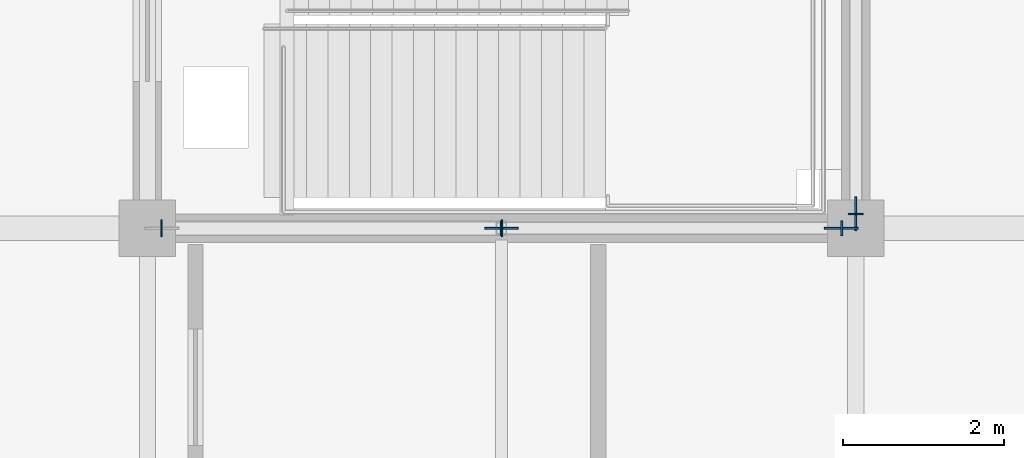
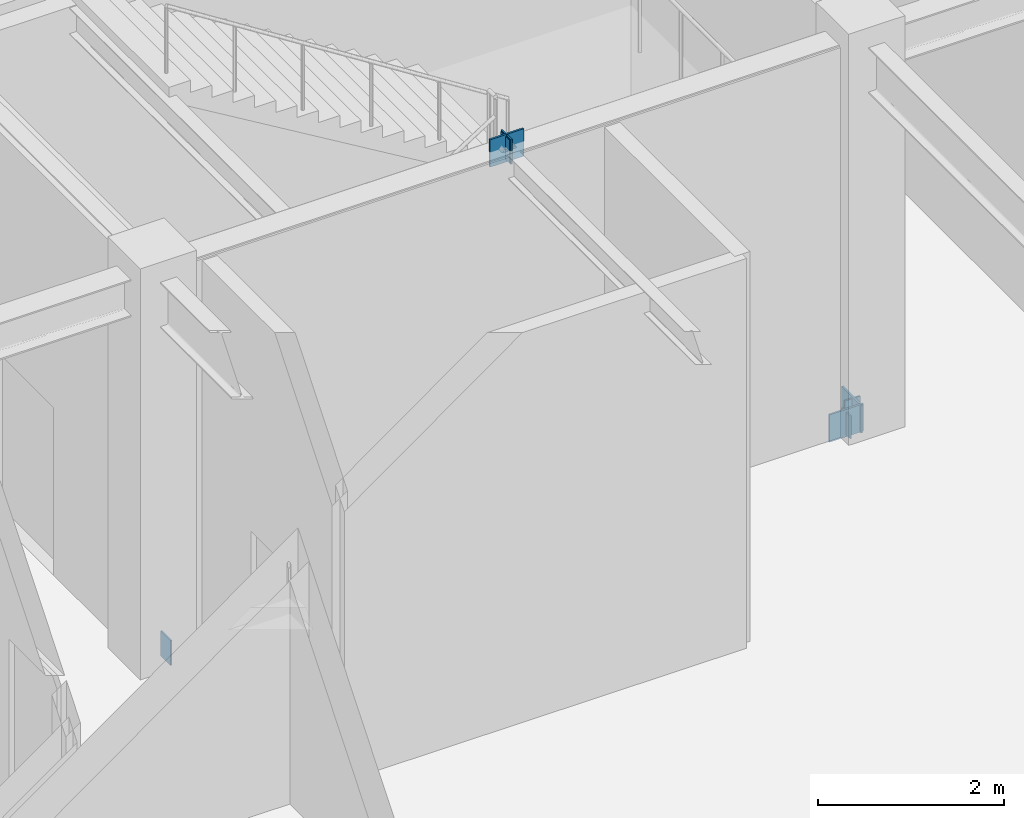
# One storey, part 71 of 119: 8 plates.
"""IFC4 building model written with IfcOpenShell, lengths in metres."""

from ifc_helpers import new_model, si_unit, direction, frame, origin, origin_2d, place, context, subcontext, project, spatial, rectangle, extrude, material, layer, layer_set, type_object, element, save


model = new_model("IFC4")

# Units and contexts
model_context = context("Model", 3, precision=1e-05, world=origin(), true_north=direction((0.0, 1.0)))
body_context = subcontext(model_context, "Body", "Model", "MODEL_VIEW")
ifc_project = project(units=[si_unit("LENGTHUNIT", "METRE"), si_unit("AREAUNIT", "SQUARE_METRE"), si_unit("VOLUMEUNIT", "CUBIC_METRE"), si_unit("PLANEANGLEUNIT", "RADIAN"), si_unit("MASSUNIT", "GRAM", prefix="KILO")], contexts=[model_context])

# Site, building, storey
site_placement = place(None, origin())
site = spatial("IfcSite", under=ifc_project, at=site_placement, CompositionType="ELEMENT")
building_placement = place(site_placement, origin())
building = spatial("IfcBuilding", under=site, at=building_placement, Name="Zhaolan Boulevard Law Courts", CompositionType="ELEMENT")
storey_placement = place(building_placement, origin())
storey = spatial("IfcBuildingStorey", under=building, at=storey_placement, Name="L00", CompositionType="ELEMENT", Elevation=0.0)

# Plates
ifc_material_1 = material(Name="Structural steel Q355B", Category="steel")
ifc_layer_1 = layer(ifc_material_1, 0.02392578125)
ifc_layer_set_1 = layer_set([ifc_layer_1])
plate_type_1 = type_object("IfcPlateType", Name="BRACE GUSSET PLATE 24", PredefinedType="SHEET", material=ifc_layer_set_1)
for number, where, z_axis, x_axis, name in (
    (1, (26.219970703125, 46.0, -0.14990234375), (0.0, 0.0, 1.0), (1.0, 0.0, 0.0), "Brace Gusset Connection Plate GP-W1-L00-SA2"),
    (2, (22.0, 46.0, 4.93994140625), (0.0, 0.0, 1.0), (1.0, 0.0, 0.0), "Brace Gusset Connection Plate GP-W1-L00-SAPX"),
    (3, (26.39990234375, 46.179931640625, -0.14990234375), (0.0, 0.0, 1.0), (0.0, 1.0, 0.0), "Brace Gusset Connection Plate GP-W1-L00-EA1"),
):
    element("IfcPlate", number, at=place(storey_placement, frame(where, z_axis=z_axis, x_axis=x_axis)), inside=storey, type_object=plate_type_1, Name=name, PredefinedType="SHEET", context=body_context, shape_type="SweptSolid", body=[
        extrude(rectangle(XDim=0.419921875, YDim=0.02392578125, at=origin_2d()), origin(), (0.0, 0.0, 1.0), 0.360107421875),
    ])
ifc_material_2 = material(Name="Structural steel Q355B", Category="steel")
ifc_layer_2 = layer(ifc_material_2, 0.02001953125)
ifc_layer_set_2 = layer_set([ifc_layer_2])
plate_type_2 = type_object("IfcPlateType", Name="END CAP PLATE 20", PredefinedType="SHEET", material=ifc_layer_set_2)
for number, where, z_axis, x_axis, name in (
    (4, (17.77490234375, 46.0, -0.140869140625), (0.0, 0.0, 1.0), (1.0, 0.0, 0.0), "Hollow Section End-Cap Plate ECP-1055"),
    (5, (22.005126953125, 46.0, 4.961669921875), (0.0, 0.0, 1.0), (1.0, 0.0, 0.0), "Hollow Section End-Cap Plate ECP-1056"),
):
    element("IfcPlate", number, at=place(storey_placement, frame(where, z_axis=z_axis, x_axis=x_axis)), inside=storey, type_object=plate_type_2, Name=name, PredefinedType="SHEET", context=body_context, shape_type="SweptSolid", body=[
        extrude(rectangle(XDim=0.02001953125, YDim=0.2099609375, at=origin_2d()), origin(), (0.0, 0.0, 1.0), 0.3291015625),
    ])
for number, where, z_axis, x_axis, name in (
    (6, (26.22509765625, 46.0, -0.12548828125), (0.0, 0.0, 1.0), (-1.0, 0.0, 0.0), "Hollow Section End-Cap Plate ECP-1057"),
    (7, (21.994873046875, 46.0, 4.97705078125), (0.0, 0.0, 1.0), (-1.0, 0.0, 0.0), "Hollow Section End-Cap Plate ECP-1058"),
):
    element("IfcPlate", number, at=place(storey_placement, frame(where, z_axis=z_axis, x_axis=x_axis)), inside=storey, type_object=plate_type_2, Name=name, PredefinedType="SHEET", context=body_context, shape_type="SweptSolid", body=[
        extrude(rectangle(XDim=0.02001953125, YDim=0.18994140625, at=origin_2d()), origin(), (0.0, 0.0, 1.0), 0.298095703125),
    ])
plate_placement = place(storey_placement, frame((26.39990234375, 46.17529296875, -0.134765625), z_axis=(0.0, 0.0, 1.0), x_axis=(0.0, 1.0, 0.0)))
element("IfcPlate", 8, at=plate_placement, inside=storey, type_object=plate_type_2, Name="Hollow Section End-Cap Plate ECP-1059", PredefinedType="SHEET", context=body_context, shape_type="SweptSolid", body=[
    extrude(rectangle(XDim=0.02001953125, YDim=0.18994140625, at=origin_2d()), origin(), (0.0, 0.0, 1.0), 0.31689453125),
])

save(model, "model.ifc")
